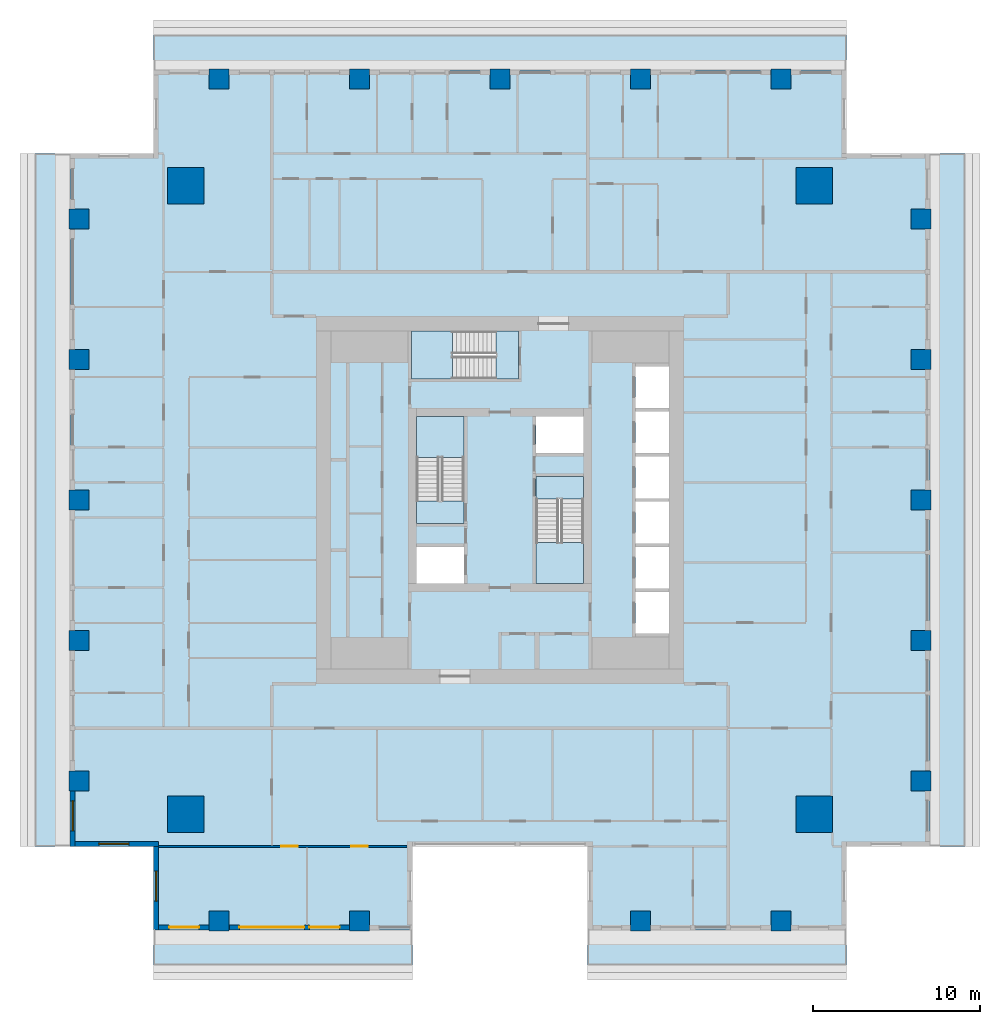
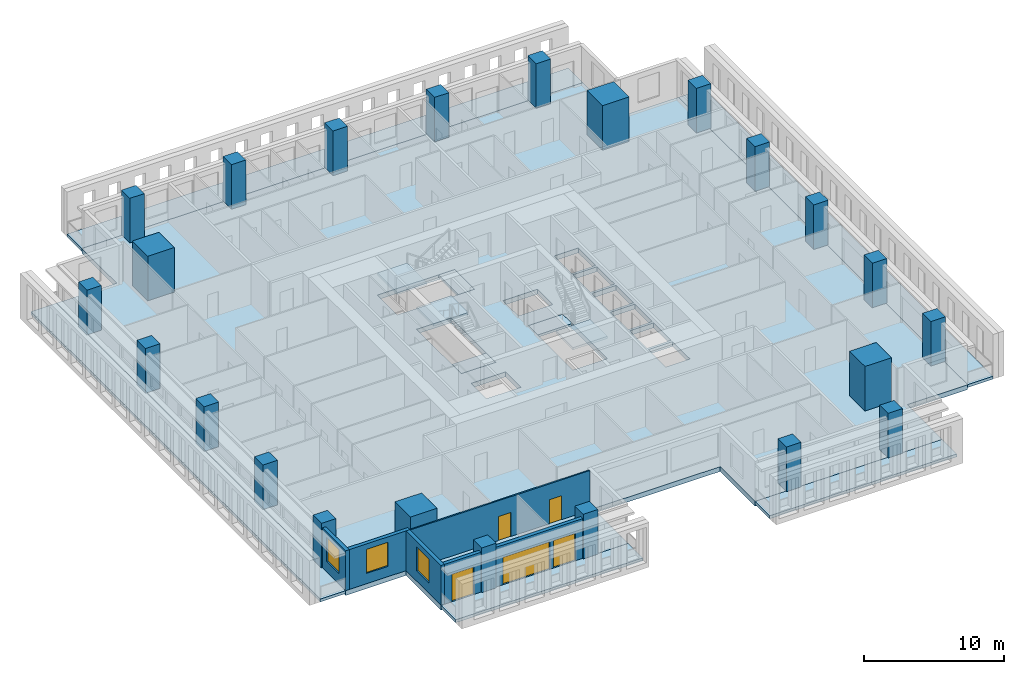
# One storey, part 1 of 15: 23 columns, 12 slabs, 6 walls, 5 doors, 3 windows, 8 openings, 3 elements without a shape of their own.
"""IFC4 building model written with IfcOpenShell, lengths in metres."""

from ifc_helpers import new_model, si_unit, direction, frame, frame_2d, origin, origin_2d, place, context, subcontext, project, spatial, polyline, rectangle, outline, extrude, material, layer, layer_set, material_profile, profile_set, type_object, element, fill, aggregate, save


model = new_model("IFC4")

# Units and contexts
model_context = context("Model", 3, precision=1e-05, world=origin(), true_north=direction((0.0, 1.0)))
body_context = subcontext(model_context, "Body", "Model", "MODEL_VIEW")
ifc_project = project(units=[si_unit("LENGTHUNIT", "METRE"), si_unit("AREAUNIT", "SQUARE_METRE"), si_unit("VOLUMEUNIT", "CUBIC_METRE"), si_unit("PLANEANGLEUNIT", "RADIAN"), si_unit("MASSUNIT", "GRAM", prefix="KILO")], contexts=[model_context])

# Site, building, storey
site_placement = place(None, origin())
site = spatial("IfcSite", under=ifc_project, at=site_placement, CompositionType="ELEMENT")
building_placement = place(site_placement, origin())
building = spatial("IfcBuilding", under=site, at=building_placement, Name="Khepri Terraces", CompositionType="ELEMENT")
storey_placement = place(building_placement, frame((0.0, 0.0, 252.300048828125)))
storey = spatial("IfcBuildingStorey", under=building, at=storey_placement, Name="L60", CompositionType="ELEMENT", Elevation=252.300048828125)

# Columns
ifc_material_1 = material(Name="Concrete C40/50", Category="concrete")
ifc_material_profile_1 = material_profile(ifc_material_1, rectangle(XDim=2.199951171875, YDim=2.199951171875, at=origin_2d()), Name="Concrete C40/50", Category="concrete")
ifc_profile_set_1 = profile_set([ifc_material_profile_1], Name="Concrete C40/50")
column_type_1 = type_object("IfcColumnType", Name="Mega column RC 2200x2200 C40/50", PredefinedType="COLUMN", material=ifc_profile_set_1)
for number, where, z_axis, x_axis, name in (
    (1, (18.800048828125, 18.800048828125, 0.0), (0.0, 0.0, 1.0), (1.0, 0.0, 0.0), "Mega column MEN L60"),
    (2, (18.800048828125, -18.800048828125, 0.0), (0.0, 0.0, 1.0), (1.0, 0.0, 0.0), "Mega column MES L60"),
    (3, (-18.800048828125, 18.800048828125, 0.0), (0.0, 0.0, 1.0), (1.0, 0.0, 0.0), "Mega column MWN L60"),
    (4, (-18.800048828125, -18.800048828125, 0.0), (0.0, 0.0, 1.0), (1.0, 0.0, 0.0), "Mega column MWS L60"),
):
    element("IfcColumn", number, at=place(storey_placement, frame(where, z_axis=z_axis, x_axis=x_axis)), inside=storey, type_object=column_type_1, Name=name, PredefinedType="COLUMN", context=body_context, shape_type="SweptSolid", body=[
        extrude(rectangle(XDim=2.199951171875, YDim=2.199951171875, at=origin_2d()), origin(), (0.0, 0.0, 1.0), 3.89990234375),
    ])
ifc_material_profile_2 = material_profile(ifc_material_1, rectangle(XDim=1.199951171875, YDim=1.199951171875, at=origin_2d()), Name="Concrete C40/50", Category="concrete")
ifc_profile_set_2 = profile_set([ifc_material_profile_2], Name="Concrete C40/50")
column_type_2 = type_object("IfcColumnType", Name="Tower column RC 1200x1200 C40/50", PredefinedType="COLUMN", material=ifc_profile_set_2)
for number, where, z_axis, x_axis, name in (
    (5, (25.199951171875, 0.0, 0.0), (0.0, 0.0, 1.0), (1.0, 0.0, 0.0), "Perimeter column PE+000b L60"),
    (6, (25.199951171875, 8.39990234375, 0.0), (0.0, 0.0, 1.0), (1.0, 0.0, 0.0), "Perimeter column PE+084b L60"),
    (7, (25.199951171875, 16.800048828125, 0.0), (0.0, 0.0, 1.0), (1.0, 0.0, 0.0), "Perimeter column PE+168a L60"),
    (8, (25.199951171875, -8.39990234375, 0.0), (0.0, 0.0, 1.0), (1.0, 0.0, 0.0), "Perimeter column PE-084b L60"),
    (9, (25.199951171875, -16.800048828125, 0.0), (0.0, 0.0, 1.0), (1.0, 0.0, 0.0), "Perimeter column PE-168a L60"),
    (10, (0.0, 25.199951171875, 0.0), (0.0, 0.0, 1.0), (1.0, 0.0, 0.0), "Perimeter column PN+000b L60"),
    (11, (-8.39990234375, 25.199951171875, 0.0), (0.0, 0.0, 1.0), (1.0, 0.0, 0.0), "Perimeter column PN+084b L60"),
    (12, (-16.800048828125, 25.199951171875, 0.0), (0.0, 0.0, 1.0), (1.0, 0.0, 0.0), "Perimeter column PN+168a L60"),
    (13, (8.39990234375, 25.199951171875, 0.0), (0.0, 0.0, 1.0), (1.0, 0.0, 0.0), "Perimeter column PN-084b L60"),
    (14, (16.800048828125, 25.199951171875, 0.0), (0.0, 0.0, 1.0), (1.0, 0.0, 0.0), "Perimeter column PN-168a L60"),
    (15, (8.39990234375, -25.199951171875, 0.0), (0.0, 0.0, 1.0), (1.0, 0.0, 0.0), "Perimeter column PS+084b L60"),
    (16, (16.800048828125, -25.199951171875, 0.0), (0.0, 0.0, 1.0), (1.0, 0.0, 0.0), "Perimeter column PS+168a L60"),
    (17, (-8.39990234375, -25.199951171875, 0.0), (0.0, 0.0, 1.0), (1.0, 0.0, 0.0), "Perimeter column PS-084b L60"),
    (18, (-16.800048828125, -25.199951171875, 0.0), (0.0, 0.0, 1.0), (1.0, 0.0, 0.0), "Perimeter column PS-168a L60"),
    (19, (-25.199951171875, 0.0, 0.0), (0.0, 0.0, 1.0), (1.0, 0.0, 0.0), "Perimeter column PW+000b L60"),
    (20, (-25.199951171875, -8.39990234375, 0.0), (0.0, 0.0, 1.0), (1.0, 0.0, 0.0), "Perimeter column PW+084b L60"),
    (21, (-25.199951171875, -16.800048828125, 0.0), (0.0, 0.0, 1.0), (1.0, 0.0, 0.0), "Perimeter column PW+168a L60"),
    (22, (-25.199951171875, 8.39990234375, 0.0), (0.0, 0.0, 1.0), (1.0, 0.0, 0.0), "Perimeter column PW-084b L60"),
    (23, (-25.199951171875, 16.800048828125, 0.0), (0.0, 0.0, 1.0), (1.0, 0.0, 0.0), "Perimeter column PW-168a L60"),
):
    element("IfcColumn", number, at=place(storey_placement, frame(where, z_axis=z_axis, x_axis=x_axis)), inside=storey, type_object=column_type_2, Name=name, PredefinedType="COLUMN", context=body_context, shape_type="SweptSolid", body=[
        extrude(rectangle(XDim=1.199951171875, YDim=1.199951171875, at=origin_2d()), origin(), (0.0, 0.0, 1.0), 3.89990234375),
    ])

# Slabs
ifc_layer_1 = layer(ifc_material_1, 0.419921875, Name="Concrete C40/50", Category="concrete")
ifc_layer_set_1 = layer_set([ifc_layer_1], Name="Concrete C40/50")
slab_type_1 = type_object("IfcSlabType", Name="Flat plate 420", PredefinedType="FLOOR", material=ifc_layer_set_1)
slab_1_placement = place(storey_placement, frame((0.0, 0.0, -0.420166015625)))
element("IfcSlab", 24, at=slab_1_placement, inside=storey, type_object=slab_type_1, Name="Floor slab F01 L60", PredefinedType="FLOOR", context=body_context, shape_type="SweptSolid", body=[
    extrude(outline(polyline([(-20.719970703125, 25.719970703125), (20.719970703125, 25.719970703125), (20.719970703125, 20.719970703125), (25.719970703125, 20.719970703125), (25.719970703125, -20.719970703125), (20.719970703125, -20.719970703125), (20.719970703125, -25.719970703125), (5.25, -25.719970703125), (5.25, -20.719970703125), (-5.25, -20.719970703125), (-5.25, -25.719970703125), (-20.719970703125, -25.719970703125), (-20.719970703125, -20.719970703125), (-25.719970703125, -20.719970703125), (-25.719970703125, 20.719970703125), (-20.719970703125, 20.719970703125), (-20.719970703125, 25.719970703125)]), holes=[polyline([(2.14990234375, 2.800048828125), (5.0, 2.800048828125), (5.0, 5.0), (2.14990234375, 5.0), (2.14990234375, 2.800048828125)]), polyline([(-5.0, -2.800048828125), (-5.0, -5.0), (-2.14990234375, -5.0), (-2.14990234375, -2.800048828125), (-5.0, -2.800048828125)]), polyline([(10.10009765625, -5.5), (8.10009765625, -5.5), (8.10009765625, -8.0), (10.10009765625, -8.0), (10.10009765625, -5.5)]), polyline([(10.10009765625, -5.300048828125), (10.10009765625, -2.800048828125), (8.10009765625, -2.800048828125), (8.10009765625, -5.300048828125), (10.10009765625, -5.300048828125)]), polyline([(8.10009765625, -2.60009765625), (10.10009765625, -2.60009765625), (10.10009765625, -0.10009765625), (8.10009765625, -0.10009765625), (8.10009765625, -2.60009765625)]), polyline([(8.10009765625, 2.60009765625), (8.10009765625, 0.10009765625), (10.10009765625, 0.10009765625), (10.10009765625, 2.60009765625), (8.10009765625, 2.60009765625)]), polyline([(10.10009765625, 5.300048828125), (8.10009765625, 5.300048828125), (8.10009765625, 2.800048828125), (10.10009765625, 2.800048828125), (10.10009765625, 5.300048828125)]), polyline([(10.10009765625, 5.5), (10.10009765625, 8.0), (8.10009765625, 8.0), (8.10009765625, 5.5), (10.10009765625, 5.5)]), polyline([(-5.0, -1.39990234375), (-2.14990234375, -1.39990234375), (-2.14990234375, 5.0), (-5.0, 5.0), (-5.0, -1.39990234375)]), polyline([(5.0, -5.0), (5.0, 1.39990234375), (2.14990234375, 1.39990234375), (2.14990234375, -5.0), (5.0, -5.0)]), polyline([(-5.300048828125, 10.10009765625), (-5.300048828125, 7.25), (1.10009765625, 7.25), (1.10009765625, 10.10009765625), (-5.300048828125, 10.10009765625)])]), origin(), (0.0, 0.0, 1.0), 0.420166015625),
])
ifc_material_2 = material(Name="Precast concrete C50/60 warm stone", Category="masonry")
ifc_layer_2 = layer(ifc_material_2, 0.25, Name="Precast concrete C50/60 warm stone", Category="masonry")
ifc_layer_set_2 = layer_set([ifc_layer_2], Name="Precast concrete C50/60 warm stone")
slab_type_2 = type_object("IfcSlabType", Name="SLB-BALCONY-250", PredefinedType="FLOOR", material=ifc_layer_set_2)
slab_2_placement = place(storey_placement, frame((0.0, 0.0, -0.25)))
element("IfcSlab", 25, at=slab_2_placement, inside=storey, type_object=slab_type_2, Name="Balcony slab L60 S", PredefinedType="FLOOR", context=body_context, shape_type="SweptSolid", body=[
    extrude(outline(polyline([(-17.39990234375, -25.719970703125), (-20.719970703125, -25.719970703125), (-20.719970703125, -27.820068359375), (-5.25, -27.820068359375), (-5.25, -25.719970703125), (-7.800048828125, -25.719970703125), (-7.800048828125, -25.800048828125), (-9.0, -25.800048828125), (-9.0, -25.719970703125), (-16.199951171875, -25.719970703125), (-16.199951171875, -25.800048828125), (-17.39990234375, -25.800048828125), (-17.39990234375, -25.719970703125)])), origin(), (0.0, 0.0, 1.0), 0.25),
])
slab_3_placement = place(storey_placement, frame((0.0, 0.0, -0.25)))
element("IfcSlab", 26, at=slab_3_placement, inside=storey, type_object=slab_type_2, Name="Balcony slab L60 S", PredefinedType="FLOOR", context=body_context, shape_type="SweptSolid", body=[
    extrude(outline(polyline([(7.800048828125, -25.719970703125), (5.25, -25.719970703125), (5.25, -27.820068359375), (20.719970703125, -27.820068359375), (20.719970703125, -25.719970703125), (17.39990234375, -25.719970703125), (17.39990234375, -25.800048828125), (16.199951171875, -25.800048828125), (16.199951171875, -25.719970703125), (9.0, -25.719970703125), (9.0, -25.800048828125), (7.800048828125, -25.800048828125), (7.800048828125, -25.719970703125)])), origin(), (0.0, 0.0, 1.0), 0.25),
])
slab_4_placement = place(storey_placement, frame((0.0, 0.0, -0.25)))
element("IfcSlab", 27, at=slab_4_placement, inside=storey, type_object=slab_type_2, Name="Balcony slab L60 E", PredefinedType="FLOOR", context=body_context, shape_type="SweptSolid", body=[
    extrude(outline(polyline([(25.719970703125, -17.39990234375), (25.719970703125, -20.719970703125), (27.820068359375, -20.719970703125), (27.820068359375, 20.719970703125), (25.719970703125, 20.719970703125), (25.719970703125, 17.39990234375), (25.800048828125, 17.39990234375), (25.800048828125, 16.199951171875), (25.719970703125, 16.199951171875), (25.719970703125, 9.0), (25.800048828125, 9.0), (25.800048828125, 7.800048828125), (25.719970703125, 7.800048828125), (25.719970703125, 0.60009765625), (25.800048828125, 0.60009765625), (25.800048828125, -0.60009765625), (25.719970703125, -0.60009765625), (25.719970703125, -7.800048828125), (25.800048828125, -7.800048828125), (25.800048828125, -9.0), (25.719970703125, -9.0), (25.719970703125, -16.199951171875), (25.800048828125, -16.199951171875), (25.800048828125, -17.39990234375), (25.719970703125, -17.39990234375)])), origin(), (0.0, 0.0, 1.0), 0.25),
])
slab_5_placement = place(storey_placement, frame((0.0, 0.0, -0.25)))
element("IfcSlab", 28, at=slab_5_placement, inside=storey, type_object=slab_type_2, Name="Balcony slab L60 N", PredefinedType="FLOOR", context=body_context, shape_type="SweptSolid", body=[
    extrude(outline(polyline([(17.39990234375, 25.719970703125), (20.719970703125, 25.719970703125), (20.719970703125, 27.820068359375), (-20.719970703125, 27.820068359375), (-20.719970703125, 25.719970703125), (-17.39990234375, 25.719970703125), (-17.39990234375, 25.800048828125), (-16.199951171875, 25.800048828125), (-16.199951171875, 25.719970703125), (-9.0, 25.719970703125), (-9.0, 25.800048828125), (-7.800048828125, 25.800048828125), (-7.800048828125, 25.719970703125), (-0.60009765625, 25.719970703125), (-0.60009765625, 25.800048828125), (0.60009765625, 25.800048828125), (0.60009765625, 25.719970703125), (7.800048828125, 25.719970703125), (7.800048828125, 25.800048828125), (9.0, 25.800048828125), (9.0, 25.719970703125), (16.199951171875, 25.719970703125), (16.199951171875, 25.800048828125), (17.39990234375, 25.800048828125), (17.39990234375, 25.719970703125)])), origin(), (0.0, 0.0, 1.0), 0.25),
])
slab_6_placement = place(storey_placement, frame((0.0, 0.0, -0.25)))
element("IfcSlab", 29, at=slab_6_placement, inside=storey, type_object=slab_type_2, Name="Balcony slab L60 W", PredefinedType="FLOOR", context=body_context, shape_type="SweptSolid", body=[
    extrude(outline(polyline([(-25.719970703125, 17.39990234375), (-25.719970703125, 20.719970703125), (-27.820068359375, 20.719970703125), (-27.820068359375, -20.719970703125), (-25.719970703125, -20.719970703125), (-25.719970703125, -17.39990234375), (-25.800048828125, -17.39990234375), (-25.800048828125, -16.199951171875), (-25.719970703125, -16.199951171875), (-25.719970703125, -9.0), (-25.800048828125, -9.0), (-25.800048828125, -7.800048828125), (-25.719970703125, -7.800048828125), (-25.719970703125, -0.60009765625), (-25.800048828125, -0.60009765625), (-25.800048828125, 0.60009765625), (-25.719970703125, 0.60009765625), (-25.719970703125, 7.800048828125), (-25.800048828125, 7.800048828125), (-25.800048828125, 9.0), (-25.719970703125, 9.0), (-25.719970703125, 16.199951171875), (-25.800048828125, 16.199951171875), (-25.800048828125, 17.39990234375), (-25.719970703125, 17.39990234375)])), origin(), (0.0, 0.0, 1.0), 0.25),
])

# Stair, slabs
stair_type = type_object("IfcStairType", Name="STAIR-RC-22R", PredefinedType="HALF_TURN_STAIR", material=ifc_material_1)
stair_1_placement = place(storey_placement, origin())
stair_1 = element("IfcStair", 30, at=stair_1_placement, inside=storey, type_object=stair_type, Name="L60 Exit Stair ST-1", PredefinedType="HALF_TURN_STAIR")
ifc_layer_3 = layer(ifc_material_1, 0.199951171875, Name="Concrete C40/50", Category="concrete")
ifc_layer_set_3 = layer_set([ifc_layer_3], Name="Concrete C40/50")
slab_type_3 = type_object("IfcSlabType", Name="SLB-CORE-LANDING", PredefinedType="LANDING", material=ifc_layer_set_3)
slab_7_placement = place(storey_placement, frame((0.0, 0.0, -0.199951171875)))
slab_7 = element("IfcSlab", 31, at=slab_7_placement, type_object=slab_type_3, Name="ST-1 landing 1", PredefinedType="LANDING", context=body_context, shape_type="SweptSolid", body=[
    extrude(outline(polyline([(-2.14990234375, -1.39990234375), (-2.14990234375, -0.050048828125), (-5.0, -0.050048828125), (-5.0, -1.39990234375), (-2.14990234375, -1.39990234375)])), origin(), (0.0, 0.0, 1.0), 0.199951171875),
])
slab_8_placement = place(storey_placement, frame((0.0, 0.0, 1.75)))
slab_8 = element("IfcSlab", 32, at=slab_8_placement, type_object=slab_type_3, Name="ST-1 landing 2", PredefinedType="LANDING", context=body_context, shape_type="SweptSolid", body=[
    extrude(outline(polyline([(-2.14990234375, 2.550048828125), (-2.14990234375, 5.0), (-5.0, 5.0), (-5.0, 2.550048828125), (-2.14990234375, 2.550048828125)])), origin(), (0.0, 0.0, 1.0), 0.199951171875),
])
aggregate(stair_1, [slab_7, slab_8])

stair_2_placement = place(storey_placement, origin())
stair_2 = element("IfcStair", 33, at=stair_2_placement, inside=storey, type_object=stair_type, Name="L60 Exit Stair ST-2", PredefinedType="HALF_TURN_STAIR")
slab_9_placement = place(storey_placement, frame((0.0, 0.0, -0.199951171875)))
slab_9 = element("IfcSlab", 34, at=slab_9_placement, type_object=slab_type_3, Name="ST-2 landing 1", PredefinedType="LANDING", context=body_context, shape_type="SweptSolid", body=[
    extrude(outline(polyline([(2.14990234375, 1.39990234375), (2.14990234375, 0.050048828125), (5.0, 0.050048828125), (5.0, 1.39990234375), (2.14990234375, 1.39990234375)])), origin(), (0.0, 0.0, 1.0), 0.199951171875),
])
slab_10_placement = place(storey_placement, frame((0.0, 0.0, 1.75)))
slab_10 = element("IfcSlab", 35, at=slab_10_placement, type_object=slab_type_3, Name="ST-2 landing 2", PredefinedType="LANDING", context=body_context, shape_type="SweptSolid", body=[
    extrude(outline(polyline([(2.14990234375, -2.550048828125), (2.14990234375, -5.0), (5.0, -5.0), (5.0, -2.550048828125), (2.14990234375, -2.550048828125)])), origin(), (0.0, 0.0, 1.0), 0.199951171875),
])
aggregate(stair_2, [slab_9, slab_10])

stair_3_placement = place(storey_placement, origin())
stair_3 = element("IfcStair", 36, at=stair_3_placement, inside=storey, type_object=stair_type, Name="L60 Exit Stair ST-3", PredefinedType="HALF_TURN_STAIR")
slab_11_placement = place(storey_placement, frame((0.0, 0.0, -0.199951171875)))
slab_11 = element("IfcSlab", 37, at=slab_11_placement, type_object=slab_type_3, Name="ST-3 landing 1", PredefinedType="LANDING", context=body_context, shape_type="SweptSolid", body=[
    extrude(outline(polyline([(1.10009765625, 10.10009765625), (-0.25, 10.10009765625), (-0.25, 7.25), (1.10009765625, 7.25), (1.10009765625, 10.10009765625)])), origin(), (0.0, 0.0, 1.0), 0.199951171875),
])
slab_12_placement = place(storey_placement, frame((0.0, 0.0, 1.75)))
slab_12 = element("IfcSlab", 38, at=slab_12_placement, type_object=slab_type_3, Name="ST-3 landing 2", PredefinedType="LANDING", context=body_context, shape_type="SweptSolid", body=[
    extrude(outline(polyline([(-2.85009765625, 10.10009765625), (-5.300048828125, 10.10009765625), (-5.300048828125, 7.25), (-2.85009765625, 7.25), (-2.85009765625, 10.10009765625)])), origin(), (0.0, 0.0, 1.0), 0.199951171875),
])
aggregate(stair_3, [slab_11, slab_12])

# Wall, opening, window
ifc_layer_4 = layer(ifc_material_2, 0.300048828125, Name="Precast concrete C50/60 warm stone", Category="masonry")
ifc_layer_set_4 = layer_set([ifc_layer_4], Name="Precast concrete C50/60 warm stone")
wall_type_1 = type_object("IfcWallType", Name="WL-EXT-PRECAST-300", PredefinedType="STANDARD", material=ifc_layer_set_4)
wall_1_placement = place(storey_placement, frame((-25.570068359375, -17.39990234375, 0.0), z_axis=(0.0, 0.0, 1.0), x_axis=(0.0, -1.0, 0.0)))
wall_1 = element("IfcWall", 39, at=wall_1_placement, inside=storey, type_object=wall_type_1, Name="External wall L60 W", PredefinedType="STANDARD", context=body_context, shape_type="SweptSolid", body=[
    extrude(rectangle(XDim=3.320068359375, YDim=0.300048828125, at=frame_2d((1.66015625, 0.0))), origin(), (0.0, 0.0, 1.0), 3.47998046875),
])
opening_1_placement = place(wall_1_placement, frame((0.60009765625, 0.0, 0.89990234375)))
opening_1 = element("IfcOpeningElement", 40, at=opening_1_placement, cuts=wall_1, Name="Opening W1", PredefinedType="OPENING", context=body_context, shape_type="SweptSolid", body=[
    extrude(rectangle(XDim=1.800048828125, YDim=2.10009765625, at=frame_2d((0.89990234375, 1.050048828125))), frame((0.0, 0.16015625, 0.0), z_axis=(0.0, -1.0, 0.0), x_axis=(1.0, 0.0, 0.0)), (0.0, 0.0, 1.0), 0.320068359375),
])
ifc_material_3 = material(Name="Clear glass", Category="glass")
window_type = type_object("IfcWindowType", Name="WIN-RES-1800x2100", PartitioningType="SINGLE_PANEL", PredefinedType="WINDOW", material=ifc_material_3)
window_1_placement = place(opening_1_placement, origin())
window_1 = element("IfcWindow", 41, at=window_1_placement, inside=storey, type_object=window_type, Name="Window L60 W", OverallHeight=2.10009765625, OverallWidth=1.800048828125, PartitioningType="SINGLE_PANEL", PredefinedType="WINDOW", context=body_context, shape_type="SweptSolid", body=[
    extrude(rectangle(XDim=1.800048828125, YDim=2.10009765625, at=frame_2d((0.89990234375, 1.050048828125))), frame((0.0, 0.030029296875, 0.0), z_axis=(0.0, -1.0, 0.0), x_axis=(1.0, 0.0, 0.0)), (0.0, 0.0, 1.0), 0.06005859375),
])
fill(opening_1, window_1)

wall_2_placement = place(storey_placement, frame((-25.419921875, -20.570068359375, 0.0), z_axis=(0.0, 0.0, 1.0), x_axis=(1.0, 0.0, 0.0)))
wall_2 = element("IfcWall", 42, at=wall_2_placement, inside=storey, type_object=wall_type_1, Name="External wall L60 S", PredefinedType="STANDARD", context=body_context, shape_type="SweptSolid", body=[
    extrude(rectangle(XDim=5.0, YDim=0.300048828125, at=frame_2d((2.5, 0.0))), origin(), (0.0, 0.0, 1.0), 3.47998046875),
])
opening_2_placement = place(wall_2_placement, frame((1.419921875, 0.0, 0.89990234375)))
opening_2 = element("IfcOpeningElement", 43, at=opening_2_placement, cuts=wall_2, Name="Opening W1", PredefinedType="OPENING", context=body_context, shape_type="SweptSolid", body=[
    extrude(rectangle(XDim=1.800048828125, YDim=2.10009765625, at=frame_2d((0.89990234375, 1.050048828125))), frame((0.0, 0.16015625, 0.0), z_axis=(0.0, -1.0, 0.0), x_axis=(1.0, 0.0, 0.0)), (0.0, 0.0, 1.0), 0.320068359375),
])
window_2_placement = place(opening_2_placement, origin())
window_2 = element("IfcWindow", 44, at=window_2_placement, inside=storey, type_object=window_type, Name="Window L60 S", OverallHeight=2.10009765625, OverallWidth=1.800048828125, PartitioningType="SINGLE_PANEL", PredefinedType="WINDOW", context=body_context, shape_type="SweptSolid", body=[
    extrude(rectangle(XDim=1.800048828125, YDim=2.10009765625, at=frame_2d((0.89990234375, 1.050048828125))), frame((0.0, 0.030029296875, 0.0), z_axis=(0.0, -1.0, 0.0), x_axis=(1.0, 0.0, 0.0)), (0.0, 0.0, 1.0), 0.06005859375),
])
fill(opening_2, window_2)

wall_3_placement = place(storey_placement, frame((-20.570068359375, -20.719970703125, 0.0), z_axis=(0.0, 0.0, 1.0), x_axis=(0.0, -1.0, 0.0)))
wall_3 = element("IfcWall", 45, at=wall_3_placement, inside=storey, type_object=wall_type_1, Name="External wall L60 W", PredefinedType="STANDARD", context=body_context, shape_type="SweptSolid", body=[
    extrude(rectangle(XDim=5.0, YDim=0.300048828125, at=frame_2d((2.5, 0.0))), origin(), (0.0, 0.0, 1.0), 3.47998046875),
])
opening_3_placement = place(wall_3_placement, frame((1.47998046875, 0.0, 0.89990234375)))
opening_3 = element("IfcOpeningElement", 46, at=opening_3_placement, cuts=wall_3, Name="Opening W1", PredefinedType="OPENING", context=body_context, shape_type="SweptSolid", body=[
    extrude(rectangle(XDim=1.800048828125, YDim=2.10009765625, at=frame_2d((0.89990234375, 1.050048828125))), frame((0.0, 0.16015625, 0.0), z_axis=(0.0, -1.0, 0.0), x_axis=(1.0, 0.0, 0.0)), (0.0, 0.0, 1.0), 0.320068359375),
])
window_3_placement = place(opening_3_placement, origin())
window_3 = element("IfcWindow", 47, at=window_3_placement, inside=storey, type_object=window_type, Name="Window L60 W", OverallHeight=2.10009765625, OverallWidth=1.800048828125, PartitioningType="SINGLE_PANEL", PredefinedType="WINDOW", context=body_context, shape_type="SweptSolid", body=[
    extrude(rectangle(XDim=1.800048828125, YDim=2.10009765625, at=frame_2d((0.89990234375, 1.050048828125))), frame((0.0, 0.030029296875, 0.0), z_axis=(0.0, -1.0, 0.0), x_axis=(1.0, 0.0, 0.0)), (0.0, 0.0, 1.0), 0.06005859375),
])
fill(opening_3, window_3)

# Wall, opening, door
wall_4_placement = place(storey_placement, frame((-20.419921875, -25.570068359375, 0.0), z_axis=(0.0, 0.0, 1.0), x_axis=(1.0, 0.0, 0.0)))
wall_4 = element("IfcWall", 48, at=wall_4_placement, inside=storey, type_object=wall_type_1, Name="External wall L60 S", PredefinedType="STANDARD", context=body_context, shape_type="SweptSolid", body=[
    extrude(rectangle(XDim=3.02001953125, YDim=0.300048828125, at=frame_2d((1.510009765625, 0.0))), origin(), (0.0, 0.0, 1.0), 3.47998046875),
])
opening_4_placement = place(wall_4_placement, frame((0.6201171875, 0.0, 0.0)))
opening_4 = element("IfcOpeningElement", 49, at=opening_4_placement, cuts=wall_4, Name="Opening ED-L60-15", PredefinedType="OPENING", context=body_context, shape_type="SweptSolid", body=[
    extrude(rectangle(XDim=1.800048828125, YDim=2.39990234375, at=frame_2d((0.89990234375, 1.199951171875))), frame((0.0, 0.16015625, 0.0), z_axis=(0.0, -1.0, 0.0), x_axis=(1.0, 0.0, 0.0)), (0.0, 0.0, 1.0), 0.320068359375),
])
ifc_material_4 = material(Name="Anodised aluminium bronze glazed door", Category="aluminium")
door_type_1 = type_object("IfcDoorType", Name="DR-BAL-SLIDE-1800x2400", OperationType="NOTDEFINED", PredefinedType="DOOR", material=ifc_material_4)
door_1_placement = place(opening_4_placement, origin())
door_1 = element("IfcDoor", 50, at=door_1_placement, inside=storey, type_object=door_type_1, Name="Balcony door L60 S", OperationType="SLIDING_TO_RIGHT", OverallHeight=2.39990234375, OverallWidth=1.800048828125, PredefinedType="DOOR", context=body_context, shape_type="SweptSolid", body=[
    extrude(rectangle(XDim=1.800048828125, YDim=2.39990234375, at=frame_2d((0.89990234375, 1.199951171875))), frame((0.0, 0.02490234375, 0.0), z_axis=(0.0, -1.0, 0.0), x_axis=(1.0, 0.0, 0.0)), (0.0, 0.0, 1.0), 0.050048828125),
])
fill(opening_4, door_1)

# Wall, openings, doors
wall_5_placement = place(storey_placement, frame((-16.199951171875, -25.570068359375, 0.0), z_axis=(0.0, 0.0, 1.0), x_axis=(1.0, 0.0, 0.0)))
wall_5 = element("IfcWall", 51, at=wall_5_placement, inside=storey, type_object=wall_type_1, Name="External wall L60 S", PredefinedType="STANDARD", context=body_context, shape_type="SweptSolid", body=[
    extrude(rectangle(XDim=7.199951171875, YDim=0.300048828125, at=frame_2d((3.60009765625, 0.0))), origin(), (0.0, 0.0, 1.0), 3.47998046875),
])
opening_5_placement = place(wall_5_placement, frame((0.60009765625, 0.0, 0.0)))
opening_5 = element("IfcOpeningElement", 52, at=opening_5_placement, cuts=wall_5, Name="Opening ED-L60-16", PredefinedType="OPENING", context=body_context, shape_type="SweptSolid", body=[
    extrude(rectangle(XDim=3.89990234375, YDim=2.39990234375, at=frame_2d((1.949951171875, 1.199951171875))), frame((0.0, 0.16015625, 0.0), z_axis=(0.0, -1.0, 0.0), x_axis=(1.0, 0.0, 0.0)), (0.0, 0.0, 1.0), 0.320068359375),
])
opening_6_placement = place(wall_5_placement, frame((4.800048828125, 0.0, 0.0)))
opening_6 = element("IfcOpeningElement", 53, at=opening_6_placement, cuts=wall_5, Name="Opening ED-L60-17", PredefinedType="OPENING", context=body_context, shape_type="SweptSolid", body=[
    extrude(rectangle(XDim=1.800048828125, YDim=2.39990234375, at=frame_2d((0.89990234375, 1.199951171875))), frame((0.0, 0.16015625, 0.0), z_axis=(0.0, -1.0, 0.0), x_axis=(1.0, 0.0, 0.0)), (0.0, 0.0, 1.0), 0.320068359375),
])
door_2_placement = place(opening_6_placement, origin())
door_2 = element("IfcDoor", 54, at=door_2_placement, inside=storey, type_object=door_type_1, Name="Balcony door L60 S", OperationType="SLIDING_TO_RIGHT", OverallHeight=2.39990234375, OverallWidth=1.800048828125, PredefinedType="DOOR", context=body_context, shape_type="SweptSolid", body=[
    extrude(rectangle(XDim=1.800048828125, YDim=2.39990234375, at=frame_2d((0.89990234375, 1.199951171875))), frame((0.0, 0.02490234375, 0.0), z_axis=(0.0, -1.0, 0.0), x_axis=(1.0, 0.0, 0.0)), (0.0, 0.0, 1.0), 0.050048828125),
])
fill(opening_6, door_2)
door_type_2 = type_object("IfcDoorType", Name="DR-BAL-SLIDE-3900x2400", OperationType="NOTDEFINED", PredefinedType="DOOR", material=ifc_material_4)
door_3_placement = place(opening_5_placement, origin())
door_3 = element("IfcDoor", 55, at=door_3_placement, inside=storey, type_object=door_type_2, Name="Balcony door L60 S", OperationType="SLIDING_TO_LEFT", OverallHeight=2.39990234375, OverallWidth=3.89990234375, PredefinedType="DOOR", context=body_context, shape_type="SweptSolid", body=[
    extrude(rectangle(XDim=3.89990234375, YDim=2.39990234375, at=frame_2d((1.949951171875, 1.199951171875))), frame((0.0, 0.02490234375, 0.0), z_axis=(0.0, -1.0, 0.0), x_axis=(1.0, 0.0, 0.0)), (0.0, 0.0, 1.0), 0.050048828125),
])
fill(opening_5, door_3)

ifc_material_5 = material(Name="Gypsum plasterboard partition")
ifc_layer_5 = layer(ifc_material_5, 0.1201171875, Name="Gypsum plasterboard partition")
ifc_layer_set_5 = layer_set([ifc_layer_5], Name="Gypsum plasterboard partition")
wall_type_2 = type_object("IfcWallType", Name="WL-PART-120", PredefinedType="PARTITIONING", material=ifc_layer_set_5)
wall_6_placement = place(storey_placement, frame((-20.419921875, -20.719970703125, 0.0), z_axis=(0.0, 0.0, 1.0), x_axis=(1.0, 0.0, 0.0)))
wall_6 = element("IfcWall", 56, at=wall_6_placement, inside=storey, type_object=wall_type_2, Name="Partition P-004 L60", PredefinedType="PARTITIONING", context=body_context, shape_type="SweptSolid", body=[
    extrude(rectangle(XDim=14.869873046875, YDim=0.1201171875, at=frame_2d((7.43505859375, 0.0))), origin(), (0.0, 0.0, 1.0), 3.47998046875),
])
opening_7_placement = place(wall_6_placement, frame((7.320068359375, 0.0, 0.0)))
opening_7 = element("IfcOpeningElement", 57, at=opening_7_placement, cuts=wall_6, Name="Opening D2", PredefinedType="OPENING", context=body_context, shape_type="SweptSolid", body=[
    extrude(rectangle(XDim=1.0, YDim=2.10009765625, at=frame_2d((0.5, 1.050048828125))), frame((0.0, 0.070068359375, 0.0), z_axis=(0.0, -1.0, 0.0), x_axis=(1.0, 0.0, 0.0)), (0.0, 0.0, 1.0), 0.14013671875),
])
opening_8_placement = place(wall_6_placement, frame((11.52001953125, 0.0, 0.0)))
opening_8 = element("IfcOpeningElement", 58, at=opening_8_placement, cuts=wall_6, Name="Opening D2", PredefinedType="OPENING", context=body_context, shape_type="SweptSolid", body=[
    extrude(rectangle(XDim=1.0, YDim=2.10009765625, at=frame_2d((0.5, 1.050048828125))), frame((0.0, 0.070068359375, 0.0), z_axis=(0.0, -1.0, 0.0), x_axis=(1.0, 0.0, 0.0)), (0.0, 0.0, 1.0), 0.14013671875),
])
ifc_material_6 = material(Name="Timber door leaf, living room door", Category="wood")
door_type_3 = type_object("IfcDoorType", Name="DR-INT-1000", OperationType="NOTDEFINED", PredefinedType="DOOR", material=ifc_material_6)
door_4_placement = place(opening_7_placement, frame((1.0, 0.0, 0.0), z_axis=(0.0, 0.0, 1.0), x_axis=(-1.0, 0.0, 0.0)))
door_4 = element("IfcDoor", 59, at=door_4_placement, inside=storey, type_object=door_type_3, Name="Door Living Room", OperationType="SINGLE_SWING_LEFT", OverallHeight=2.10009765625, OverallWidth=1.0, PredefinedType="DOOR", context=body_context, shape_type="SweptSolid", body=[
    extrude(rectangle(XDim=1.0, YDim=2.10009765625, at=frame_2d((0.5, 1.050048828125))), frame((0.0, 0.02490234375, 0.0), z_axis=(0.0, -1.0, 0.0), x_axis=(1.0, 0.0, 0.0)), (0.0, 0.0, 1.0), 0.050048828125),
])
fill(opening_7, door_4)
door_5_placement = place(opening_8_placement, frame((1.0, 0.0, 0.0), z_axis=(0.0, 0.0, 1.0), x_axis=(-1.0, 0.0, 0.0)))
door_5 = element("IfcDoor", 60, at=door_5_placement, inside=storey, type_object=door_type_3, Name="Door Sun Lounge", OperationType="SINGLE_SWING_LEFT", OverallHeight=2.10009765625, OverallWidth=1.0, PredefinedType="DOOR", context=body_context, shape_type="SweptSolid", body=[
    extrude(rectangle(XDim=1.0, YDim=2.10009765625, at=frame_2d((0.5, 1.050048828125))), frame((0.0, 0.02490234375, 0.0), z_axis=(0.0, -1.0, 0.0), x_axis=(1.0, 0.0, 0.0)), (0.0, 0.0, 1.0), 0.050048828125),
])
fill(opening_8, door_5)

save(model, "model.ifc")
